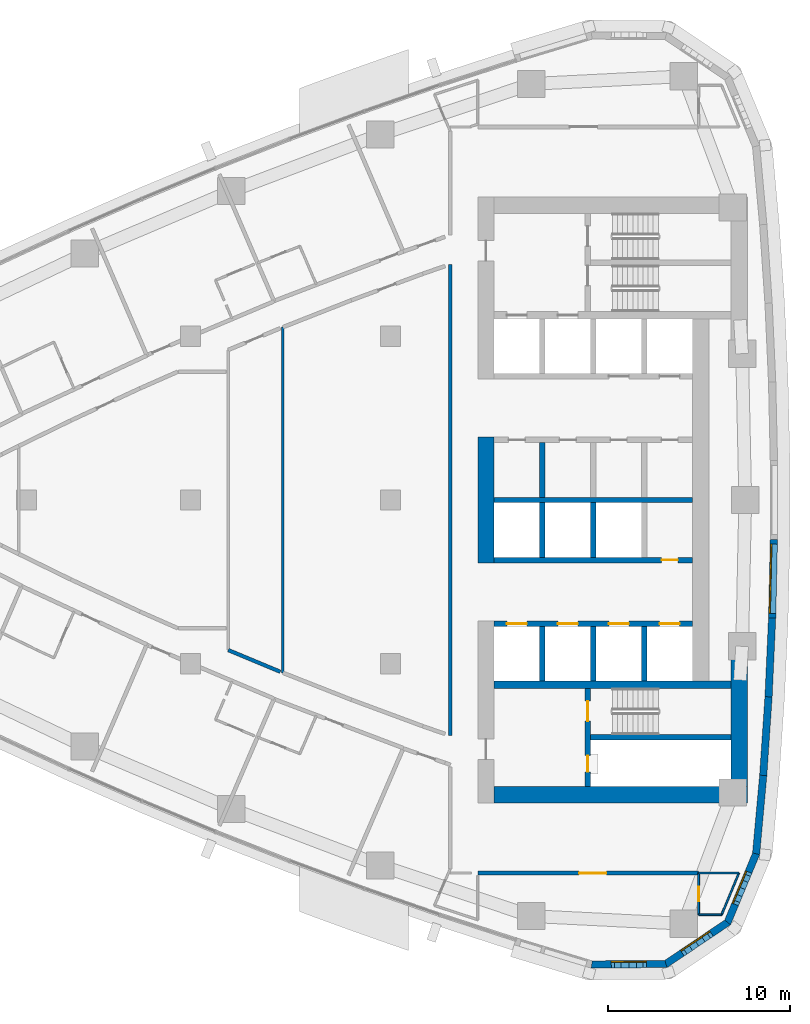
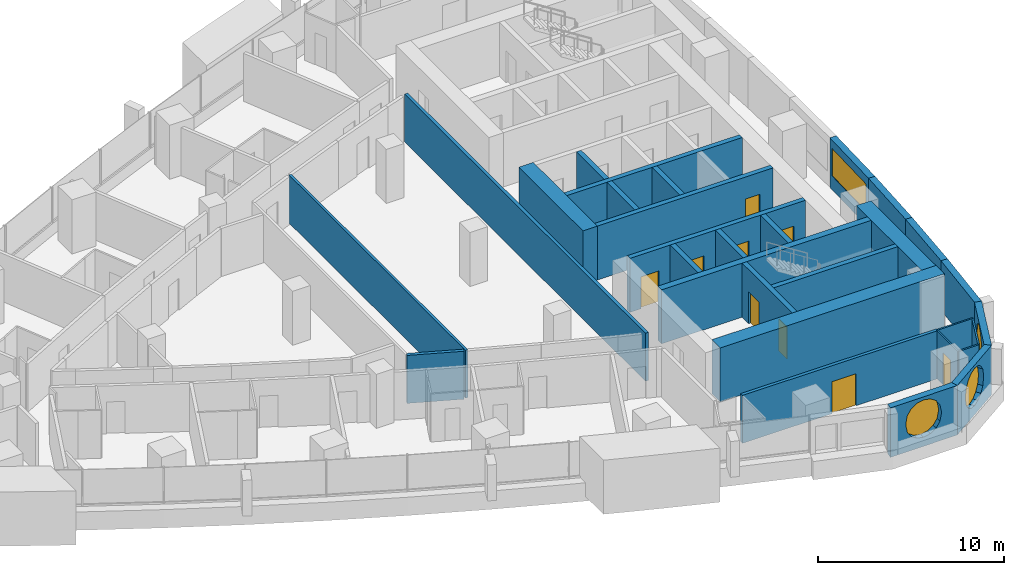
# One storey, part 10 of 17: 30 walls, 9 doors, 4 windows, 13 openings.
"""IFC4 building model written with IfcOpenShell, lengths in metres."""

import ifcopenshell
import ifcopenshell.guid

model = None  # the IFC model being written
_history = None  # IfcOwnerHistory: only IFC2X3 demands one
_inside = {}  # id of a spatial element -> (the spatial element, [elements in it])
_under = {}  # id of a project, library or spatial element -> (it, [spatial elements below it])
_declared = {}  # id of a project -> (the project, [libraries it declares])
_typed = {}  # id of a type object -> (the type object, [elements of that type])
_made_of = {}  # id of a material, layer set ... -> (it, [elements and type objects made of it])


def new_model(schema):
    """Start an empty IFC model of exactly this schema.

    Asked for "IFC4X3", IfcOpenShell would pick the latest addendum, in which some entities
    have other attributes; the version numbers below select the first issue.
    IFC2X3 requires an IfcOwnerHistory on every rooted entity: one is made here for all.
    """
    global model, _history
    if schema == "IFC4X3":
        model = ifcopenshell.file(schema_version=(4, 3, 0, 0))
    else:
        model = ifcopenshell.file(schema=schema)
    _inside.clear()
    _under.clear()
    _declared.clear()
    _typed.clear()
    _made_of.clear()
    _history = None
    if model.schema == "IFC2X3":
        org = make("IfcOrganization", Name="unknown")
        user = make(
            "IfcPersonAndOrganization",
            ThePerson=make("IfcPerson", FamilyName="unknown"),
            TheOrganization=org,
        )
        app = make(
            "IfcApplication",
            ApplicationDeveloper=org,
            Version="unknown",
            ApplicationFullName="unknown",
            ApplicationIdentifier="unknown",
        )
        _history = make(
            "IfcOwnerHistory",
            OwningUser=user,
            OwningApplication=app,
            ChangeAction="ADDED",
            CreationDate=0,
        )
    return model


def make(cls, **values):
    """One entity of the class cls with the attributes given. An attribute that is None is left unset."""
    return model.create_entity(
        cls, **{name: value for name, value in values.items() if value is not None}
    )


def rooted(cls, **values):
    """An entity with a GlobalId (a new one), such as an element, a storey or a relation."""
    return make(cls, GlobalId=ifcopenshell.guid.new(), OwnerHistory=_history, **values)


def si_unit(unit_type, name, prefix=None):
    """IfcSIUnit, for example si_unit("LENGTHUNIT", "METRE", prefix="MILLI")."""
    return make("IfcSIUnit", UnitType=unit_type, Prefix=prefix, Name=name)


def assignment(units):
    """IfcUnitAssignment: the units of a project."""
    return None if units is None else make("IfcUnitAssignment", Units=units)


def point(xyz):
    """IfcCartesianPoint."""
    return None if xyz is None else make("IfcCartesianPoint", Coordinates=xyz)


def direction(xyz):
    """IfcDirection."""
    return None if xyz is None else make("IfcDirection", DirectionRatios=xyz)


def frame(location, z_axis=None, x_axis=None):
    """IfcAxis2Placement3D, a coordinate frame: its origin and axes. An axis left out is left unset."""
    return make(
        "IfcAxis2Placement3D",
        Location=point(location),
        Axis=direction(z_axis),
        RefDirection=direction(x_axis),
    )


def frame_2d(location, x_axis=None):
    """IfcAxis2Placement2D, a coordinate frame in the plane: its origin and x axis."""
    return make(
        "IfcAxis2Placement2D", Location=point(location), RefDirection=direction(x_axis)
    )


def origin():
    """The frame at (0, 0, 0) with its axes left unset."""
    return frame((0.0, 0.0, 0.0))


def place(relative_to, where):
    """IfcLocalPlacement: puts the frame where relative to a parent placement (None: the world)."""
    return make(
        "IfcLocalPlacement", PlacementRelTo=relative_to, RelativePlacement=where
    )


def context(
    kind, dimensions, precision=None, world=None, true_north=None, identifier=None
):
    """IfcGeometricRepresentationContext, for example the 3D "Model" context."""
    return make(
        "IfcGeometricRepresentationContext",
        ContextIdentifier=identifier,
        ContextType=kind,
        CoordinateSpaceDimension=dimensions,
        Precision=precision,
        WorldCoordinateSystem=world,
        TrueNorth=true_north,
    )


def subcontext(parent, identifier, kind, view, scale=None):
    """IfcGeometricRepresentationSubContext, for example "Body" below "Model"."""
    return make(
        "IfcGeometricRepresentationSubContext",
        ContextIdentifier=identifier,
        ContextType=kind,
        ParentContext=parent,
        TargetScale=scale,
        TargetView=view,
    )


def project(units=None, contexts=None):
    """IfcProject with its units and contexts."""
    return rooted(
        "IfcProject",
        Name="project",
        RepresentationContexts=contexts,
        UnitsInContext=assignment(units),
    )


def spatial(cls, under=None, at=None, **own):
    """A site, building, storey or space (cls), placed at a placement, below another one or the project."""
    s = rooted(cls, ObjectPlacement=at, **own)
    if under is not None:
        _under.setdefault(under.id(), (under, []))[1].append(s)
    return s


def polyline(points):
    """IfcPolyline through the points."""
    return make("IfcPolyline", Points=[point(p) for p in points])


def profile(cls, at=None, kind="AREA", **sizes):
    """A parametric profile (cls). Its sizes go by their IFC names, for example OverallWidth=200.0."""
    return make(cls, ProfileType=kind, Position=at, **sizes)


def rectangle(**sizes):
    """IfcRectangleProfileDef."""
    return profile("IfcRectangleProfileDef", **sizes)


def outline(outer, holes=None, kind="AREA"):
    """IfcArbitraryClosedProfileDef: a profile drawn as a closed curve; with holes, ...WithVoids."""
    if holes is None:
        return make("IfcArbitraryClosedProfileDef", ProfileType=kind, OuterCurve=outer)
    return make(
        "IfcArbitraryProfileDefWithVoids",
        ProfileType=kind,
        OuterCurve=outer,
        InnerCurves=holes,
    )


def extrude(swept, where, along, depth):
    """IfcExtrudedAreaSolid: the profile swept, set in the frame where, extruded along a direction by depth."""
    return make(
        "IfcExtrudedAreaSolid",
        SweptArea=swept,
        Position=where,
        ExtrudedDirection=direction(along),
        Depth=depth,
    )


def shape(context_of_items, identifier, shape_type, items):
    """IfcShapeRepresentation: the items that make up one representation, for example the "Body"."""
    return make(
        "IfcShapeRepresentation",
        ContextOfItems=context_of_items,
        RepresentationIdentifier=identifier,
        RepresentationType=shape_type,
        Items=items,
    )


def material(Name=None, Category=None):
    """IfcMaterial."""
    return make("IfcMaterial", Name=Name, Category=Category)


def layer(
    of_material, thickness, ventilated=None, Name=None, Category=None, Priority=None
):
    """IfcMaterialLayer: one layer of a wall or slab, of a material (None: an air gap)."""
    return make(
        "IfcMaterialLayer",
        Material=of_material,
        LayerThickness=thickness,
        IsVentilated=ventilated,
        Name=Name,
        Category=Category,
        Priority=Priority,
    )


def layer_set(layers, Name=None):
    """IfcMaterialLayerSet."""
    return make("IfcMaterialLayerSet", MaterialLayers=layers, LayerSetName=Name)


def made_of(thing, what):
    """Note that an element or type object is made of a material, layer set ...; save() writes the relation."""
    if what is not None:
        _made_of.setdefault(what.id(), (what, []))[1].append(thing)
    return thing


def type_object(cls, material=None, **own):
    """A type object (cls), such as IfcWallType, which elements share."""
    return made_of(rooted(cls, **own), material)


def element(
    cls,
    number,
    at=None,
    inside=None,
    cuts=None,
    type_object=None,
    material=None,
    context=None,
    identifier="Body",
    shape_type=None,
    held_by="IfcProductDefinitionShape",
    body=None,
    shapes=None,
    **own,
):
    """One element of the class cls, such as IfcWall. Its Tag is "e" and its number.

    at: its placement. inside: the storey or other place that contains it. cuts: it is an
    opening in that element (IfcRelVoidsElement). A single representation is given by context,
    identifier, shape_type and body (its items); several are given by shapes. held_by: the class
    of the entity that holds the representations. save() writes the other relations.
    """
    e = rooted(cls, Tag="e%d" % number, ObjectPlacement=at, **own)
    if body is not None:
        shapes = [shape(context, identifier, shape_type, body)]
    if shapes is not None:
        e.Representation = make(held_by, Representations=shapes)
    if inside is not None:
        _inside.setdefault(inside.id(), (inside, []))[1].append(e)
    if cuts is not None:
        rooted(
            "IfcRelVoidsElement", RelatingBuildingElement=cuts, RelatedOpeningElement=e
        )
    if type_object is not None:
        _typed.setdefault(type_object.id(), (type_object, []))[1].append(e)
    return made_of(e, material)


def fill(opening, filler):
    """IfcRelFillsElement: the door or window that sits in an opening."""
    return rooted(
        "IfcRelFillsElement",
        RelatingOpeningElement=opening,
        RelatedBuildingElement=filler,
    )


def aggregate(whole, parts):
    """IfcRelAggregates: a whole, such as a stair, and the parts it consists of."""
    return rooted("IfcRelAggregates", RelatingObject=whole, RelatedObjects=parts)


def save(model, path):
    """Write the relations noted so far, then the file.

    IfcRelAggregates (storeys below a building ...), IfcRelContainedInSpatialStructure (elements
    in a storey), IfcRelDefinesByType, IfcRelAssociatesMaterial and IfcRelDeclares: one each for
    every whole, place, type object, material and project.
    """
    for whole, parts in _under.values():
        aggregate(whole, parts)
    for where, things in _inside.values():
        rooted(
            "IfcRelContainedInSpatialStructure",
            RelatedElements=things,
            RelatingStructure=where,
        )
    for kind, things in _typed.values():
        rooted("IfcRelDefinesByType", RelatedObjects=things, RelatingType=kind)
    for what, things in _made_of.values():
        rooted("IfcRelAssociatesMaterial", RelatedObjects=things, RelatingMaterial=what)
    for by, libraries in _declared.values():
        rooted("IfcRelDeclares", RelatingContext=by, RelatedDefinitions=libraries)
    model.write(path)


model = new_model("IFC4")

# Units and contexts
model_context = context("Model", 3, precision=1e-05, world=origin(), true_north=direction((0.0, 1.0)))
body_context = subcontext(model_context, "Body", "Model", "MODEL_VIEW")
ifc_project = project(units=[si_unit("LENGTHUNIT", "METRE"), si_unit("AREAUNIT", "SQUARE_METRE"), si_unit("VOLUMEUNIT", "CUBIC_METRE"), si_unit("PLANEANGLEUNIT", "RADIAN"), si_unit("MASSUNIT", "GRAM", prefix="KILO")], contexts=[model_context])

# Site, building, storey
site_placement = place(None, origin())
site = spatial("IfcSite", under=ifc_project, at=site_placement, CompositionType="ELEMENT")
building_placement = place(site_placement, origin())
building = spatial("IfcBuilding", under=site, at=building_placement, Name="Ostrand Prow Hotel Tower", CompositionType="ELEMENT")
storey_placement = place(building_placement, frame((0.0, 0.0, 162.14990234375)))
storey = spatial("IfcBuildingStorey", under=building, at=storey_placement, Name="L40", CompositionType="ELEMENT", Elevation=162.14990234375)

# Walls
ifc_material_1 = material(Name="Concrete C70/85", Category="concrete")
ifc_layer_1 = layer(ifc_material_1, 0.300048828125)
ifc_layer_set_1 = layer_set([ifc_layer_1], Name="Concrete C70/85")
wall_type_1 = type_object("IfcWallType", Name="Core wall 300 C70/85", PredefinedType="SHEAR", material=ifc_layer_set_1)
wall_1_placement = place(storey_placement, frame((50.699951171875, 0.0, 0.0), z_axis=(0.0, 0.0, 1.0), x_axis=(1.0, 0.0, 0.0)))
element("IfcWall", 1, at=wall_1_placement, inside=storey, type_object=wall_type_1, Name="Core wall PW-C", PredefinedType="SHEAR", context=body_context, shape_type="SweptSolid", body=[
    extrude(rectangle(XDim=10.900146484375, YDim=0.300048828125, at=frame_2d((5.4501953125, 0.0))), origin(), (0.0, 0.0, 1.0), 3.550048828125),
])
wall_2_placement = place(storey_placement, frame((53.35009765625, 0.14990234375, 0.0), z_axis=(0.0, 0.0, 1.0), x_axis=(0.0, 1.0, 0.0)))
element("IfcWall", 2, at=wall_2_placement, inside=storey, type_object=wall_type_1, Name="Core wall PW-R1-NB", PredefinedType="SHEAR", context=body_context, shape_type="SweptSolid", body=[
    extrude(rectangle(XDim=3.0, YDim=0.300048828125, at=frame_2d((1.5, 0.0))), origin(), (0.0, 0.0, 1.0), 3.550048828125),
])

# Wall, opening, door
wall_3_placement = place(storey_placement, frame((50.699951171875, -3.300048828125, 0.0), z_axis=(0.0, 0.0, 1.0), x_axis=(1.0, 0.0, 0.0)))
wall_3 = element("IfcWall", 3, at=wall_3_placement, inside=storey, type_object=wall_type_1, Name="Core wall PW-L1-S", PredefinedType="SHEAR", context=body_context, shape_type="SweptSolid", body=[
    extrude(rectangle(XDim=10.900146484375, YDim=0.300048828125, at=frame_2d((5.4501953125, 0.0))), origin(), (0.0, 0.0, 1.0), 3.550048828125),
])
opening_1_placement = place(wall_3_placement, frame((9.199951171875, 0.0, 0.0)))
opening_1 = element("IfcOpeningElement", 4, at=opening_1_placement, cuts=wall_3, Name="Opening FD2", PredefinedType="OPENING", context=body_context, shape_type="SweptSolid", body=[
    extrude(rectangle(XDim=0.89990234375, YDim=2.10009765625, at=frame_2d((0.449951171875, 1.050048828125))), frame((0.0, 0.159912109375, 0.0), z_axis=(0.0, -1.0, 0.0), x_axis=(1.0, 0.0, 0.0)), (0.0, 0.0, 1.0), 0.320068359375),
])
ifc_material_2 = material(Name="Steel fire door", Category="steel")
door_type_1 = type_object("IfcDoorType", Name="Fire door 900 EI120", OperationType="SINGLE_SWING_LEFT", PredefinedType="DOOR", material=ifc_material_2)
door_1_placement = place(opening_1_placement, origin())
door_1 = element("IfcDoor", 5, at=door_1_placement, inside=storey, type_object=door_type_1, Name="DOOR", OperationType="SINGLE_SWING_LEFT", OverallHeight=2.10009765625, OverallWidth=0.89990234375, PredefinedType="DOOR", context=body_context, shape_type="SweptSolid", body=[
    extrude(rectangle(XDim=0.89990234375, YDim=2.10009765625, at=frame_2d((0.449951171875, 1.050048828125))), frame((0.0, 0.02490234375, 0.0), z_axis=(0.0, -1.0, 0.0), x_axis=(1.0, 0.0, 0.0)), (0.0, 0.0, 1.0), 0.050048828125),
])
fill(opening_1, door_1)

# Wall, openings, doors
wall_4_placement = place(storey_placement, frame((50.699951171875, -6.800048828125, 0.0), z_axis=(0.0, 0.0, 1.0), x_axis=(1.0, 0.0, 0.0)))
wall_4 = element("IfcWall", 6, at=wall_4_placement, inside=storey, type_object=wall_type_1, Name="Core wall PW-L2-S", PredefinedType="SHEAR", context=body_context, shape_type="SweptSolid", body=[
    extrude(rectangle(XDim=10.900146484375, YDim=0.300048828125, at=frame_2d((5.4501953125, 0.0))), origin(), (0.0, 0.0, 1.0), 3.550048828125),
])
opening_2_placement = place(wall_4_placement, frame((0.699951171875, 0.0, 0.0)))
opening_2 = element("IfcOpeningElement", 7, at=opening_2_placement, cuts=wall_4, Name="Opening LD", PredefinedType="OPENING", context=body_context, shape_type="SweptSolid", body=[
    extrude(rectangle(XDim=1.10009765625, YDim=2.10009765625, at=frame_2d((0.550048828125, 1.050048828125))), frame((0.0, 0.159912109375, 0.0), z_axis=(0.0, -1.0, 0.0), x_axis=(1.0, 0.0, 0.0)), (0.0, 0.0, 1.0), 0.320068359375),
])
opening_3_placement = place(wall_4_placement, frame((3.5, 0.0, 0.0)))
opening_3 = element("IfcOpeningElement", 8, at=opening_3_placement, cuts=wall_4, Name="Opening LD", PredefinedType="OPENING", context=body_context, shape_type="SweptSolid", body=[
    extrude(rectangle(XDim=1.10009765625, YDim=2.10009765625, at=frame_2d((0.550048828125, 1.050048828125))), frame((0.0, 0.159912109375, 0.0), z_axis=(0.0, -1.0, 0.0), x_axis=(1.0, 0.0, 0.0)), (0.0, 0.0, 1.0), 0.320068359375),
])
opening_4_placement = place(wall_4_placement, frame((6.300048828125, 0.0, 0.0)))
opening_4 = element("IfcOpeningElement", 9, at=opening_4_placement, cuts=wall_4, Name="Opening LD", PredefinedType="OPENING", context=body_context, shape_type="SweptSolid", body=[
    extrude(rectangle(XDim=1.10009765625, YDim=2.10009765625, at=frame_2d((0.550048828125, 1.050048828125))), frame((0.0, 0.159912109375, 0.0), z_axis=(0.0, -1.0, 0.0), x_axis=(1.0, 0.0, 0.0)), (0.0, 0.0, 1.0), 0.320068359375),
])
opening_5_placement = place(wall_4_placement, frame((9.10009765625, 0.0, 0.0)))
opening_5 = element("IfcOpeningElement", 10, at=opening_5_placement, cuts=wall_4, Name="Opening LD", PredefinedType="OPENING", context=body_context, shape_type="SweptSolid", body=[
    extrude(rectangle(XDim=1.10009765625, YDim=2.10009765625, at=frame_2d((0.550048828125, 1.050048828125))), frame((0.0, 0.159912109375, 0.0), z_axis=(0.0, -1.0, 0.0), x_axis=(1.0, 0.0, 0.0)), (0.0, 0.0, 1.0), 0.320068359375),
])
ifc_material_3 = material(Name="Stainless steel door", Category="steel")
door_type_2 = type_object("IfcDoorType", Name="Lift landing door 1100", OperationType="DOUBLE_DOOR_SLIDING", PredefinedType="DOOR", material=ifc_material_3)
door_2_placement = place(opening_2_placement, origin())
door_2 = element("IfcDoor", 11, at=door_2_placement, inside=storey, type_object=door_type_2, Name="LIFT LANDING DOOR", OperationType="DOUBLE_DOOR_SLIDING", OverallHeight=2.10009765625, OverallWidth=1.10009765625, PredefinedType="DOOR", context=body_context, shape_type="SweptSolid", body=[
    extrude(rectangle(XDim=1.10009765625, YDim=2.10009765625, at=frame_2d((0.550048828125, 1.050048828125))), frame((0.0, 0.02490234375, 0.0), z_axis=(0.0, -1.0, 0.0), x_axis=(1.0, 0.0, 0.0)), (0.0, 0.0, 1.0), 0.050048828125),
])
fill(opening_2, door_2)
door_3_placement = place(opening_3_placement, origin())
door_3 = element("IfcDoor", 12, at=door_3_placement, inside=storey, type_object=door_type_2, Name="LIFT LANDING DOOR", OperationType="DOUBLE_DOOR_SLIDING", OverallHeight=2.10009765625, OverallWidth=1.10009765625, PredefinedType="DOOR", context=body_context, shape_type="SweptSolid", body=[
    extrude(rectangle(XDim=1.10009765625, YDim=2.10009765625, at=frame_2d((0.550048828125, 1.050048828125))), frame((0.0, 0.02490234375, 0.0), z_axis=(0.0, -1.0, 0.0), x_axis=(1.0, 0.0, 0.0)), (0.0, 0.0, 1.0), 0.050048828125),
])
fill(opening_3, door_3)
door_4_placement = place(opening_4_placement, origin())
door_4 = element("IfcDoor", 13, at=door_4_placement, inside=storey, type_object=door_type_2, Name="LIFT LANDING DOOR", OperationType="DOUBLE_DOOR_SLIDING", OverallHeight=2.10009765625, OverallWidth=1.10009765625, PredefinedType="DOOR", context=body_context, shape_type="SweptSolid", body=[
    extrude(rectangle(XDim=1.10009765625, YDim=2.10009765625, at=frame_2d((0.550048828125, 1.050048828125))), frame((0.0, 0.02490234375, 0.0), z_axis=(0.0, -1.0, 0.0), x_axis=(1.0, 0.0, 0.0)), (0.0, 0.0, 1.0), 0.050048828125),
])
fill(opening_4, door_4)
door_5_placement = place(opening_5_placement, origin())
door_5 = element("IfcDoor", 14, at=door_5_placement, inside=storey, type_object=door_type_2, Name="LIFT LANDING DOOR", OperationType="DOUBLE_DOOR_SLIDING", OverallHeight=2.10009765625, OverallWidth=1.10009765625, PredefinedType="DOOR", context=body_context, shape_type="SweptSolid", body=[
    extrude(rectangle(XDim=1.10009765625, YDim=2.10009765625, at=frame_2d((0.550048828125, 1.050048828125))), frame((0.0, 0.02490234375, 0.0), z_axis=(0.0, -1.0, 0.0), x_axis=(1.0, 0.0, 0.0)), (0.0, 0.0, 1.0), 0.050048828125),
])
fill(opening_5, door_5)

# Walls
for number, where, z_axis, x_axis, name in (
    (15, (53.35009765625, -3.14990234375, 0.0), (0.0, 0.0, 1.0), (0.0, 1.0, 0.0), "Core wall PW-R1-SB"),
    (16, (53.35009765625, -9.949951171875, 0.0), (0.0, 0.0, 1.0), (0.0, 1.0, 0.0), "Core wall PW-R1-SA"),
    (17, (56.14990234375, -3.14990234375, 0.0), (0.0, 0.0, 1.0), (0.0, 1.0, 0.0), "Core wall PW-R2-SB"),
    (18, (56.14990234375, -9.949951171875, 0.0), (0.0, 0.0, 1.0), (0.0, 1.0, 0.0), "Core wall PW-R2-SA"),
    (19, (58.949951171875, -9.949951171875, 0.0), (0.0, 0.0, 1.0), (0.0, 1.0, 0.0), "Core wall PW-R3-SA"),
):
    element("IfcWall", number, at=place(storey_placement, frame(where, z_axis=z_axis, x_axis=x_axis)), inside=storey, type_object=wall_type_1, Name=name, PredefinedType="SHEAR", context=body_context, shape_type="SweptSolid", body=[
        extrude(rectangle(XDim=3.0, YDim=0.300048828125, at=frame_2d((1.5, 0.0))), origin(), (0.0, 0.0, 1.0), 3.550048828125),
    ])

# Wall, openings, doors
wall_5_placement = place(storey_placement, frame((55.85009765625, -15.75, 0.0), z_axis=(0.0, 0.0, 1.0), x_axis=(0.0, 1.0, 0.0)))
wall_5 = element("IfcWall", 20, at=wall_5_placement, inside=storey, type_object=wall_type_1, Name="Core wall PW-VS", PredefinedType="SHEAR", context=body_context, shape_type="SweptSolid", body=[
    extrude(rectangle(XDim=5.39990234375, YDim=0.300048828125, at=frame_2d((2.699951171875, 0.0))), origin(), (0.0, 0.0, 1.0), 3.550048828125),
])
opening_6_placement = place(wall_5_placement, frame((3.60009765625, 0.0, 0.0)))
opening_6 = element("IfcOpeningElement", 21, at=opening_6_placement, cuts=wall_5, Name="Opening FD1", PredefinedType="OPENING", context=body_context, shape_type="SweptSolid", body=[
    extrude(rectangle(XDim=1.10009765625, YDim=2.10009765625, at=frame_2d((0.550048828125, 1.050048828125))), frame((0.0, 0.159912109375, 0.0), z_axis=(0.0, -1.0, 0.0), x_axis=(1.0, 0.0, 0.0)), (0.0, 0.0, 1.0), 0.320068359375),
])
opening_7_placement = place(wall_5_placement, frame((0.800048828125, 0.0, 0.0)))
opening_7 = element("IfcOpeningElement", 22, at=opening_7_placement, cuts=wall_5, Name="Opening FD2", PredefinedType="OPENING", context=body_context, shape_type="SweptSolid", body=[
    extrude(rectangle(XDim=0.89990234375, YDim=2.10009765625, at=frame_2d((0.449951171875, 1.050048828125))), frame((0.0, 0.159912109375, 0.0), z_axis=(0.0, -1.0, 0.0), x_axis=(1.0, 0.0, 0.0)), (0.0, 0.0, 1.0), 0.320068359375),
])
ifc_material_4 = material(Name="Steel fire door", Category="steel")
door_type_3 = type_object("IfcDoorType", Name="Fire door 1100 EI120", OperationType="SINGLE_SWING_RIGHT", PredefinedType="DOOR", material=ifc_material_4)
door_6_placement = place(opening_6_placement, origin())
door_6 = element("IfcDoor", 23, at=door_6_placement, inside=storey, type_object=door_type_3, Name="FIRE DOOR", OperationType="SINGLE_SWING_RIGHT", OverallHeight=2.10009765625, OverallWidth=1.10009765625, PredefinedType="DOOR", context=body_context, shape_type="SweptSolid", body=[
    extrude(rectangle(XDim=1.10009765625, YDim=2.10009765625, at=frame_2d((0.550048828125, 1.050048828125))), frame((0.0, 0.02490234375, 0.0), z_axis=(0.0, -1.0, 0.0), x_axis=(1.0, 0.0, 0.0)), (0.0, 0.0, 1.0), 0.050048828125),
])
fill(opening_6, door_6)
door_7_placement = place(opening_7_placement, origin())
door_7 = element("IfcDoor", 24, at=door_7_placement, inside=storey, type_object=door_type_1, Name="FIRE DOOR", OperationType="SINGLE_SWING_LEFT", OverallHeight=2.10009765625, OverallWidth=0.89990234375, PredefinedType="DOOR", context=body_context, shape_type="SweptSolid", body=[
    extrude(rectangle(XDim=0.89990234375, YDim=2.10009765625, at=frame_2d((0.449951171875, 1.050048828125))), frame((0.0, 0.02490234375, 0.0), z_axis=(0.0, -1.0, 0.0), x_axis=(1.0, 0.0, 0.0)), (0.0, 0.0, 1.0), 0.050048828125),
])
fill(opening_7, door_7)

# Walls
wall_6_placement = place(storey_placement, frame((56.0, -13.050048828125, 0.0), z_axis=(0.0, 0.0, 1.0), x_axis=(1.0, 0.0, 0.0)))
element("IfcWall", 25, at=wall_6_placement, inside=storey, type_object=wall_type_1, Name="Core wall PW-ST2R", PredefinedType="SHEAR", context=body_context, shape_type="SweptSolid", body=[
    extrude(rectangle(XDim=7.719970703125, YDim=0.300048828125, at=frame_2d((3.85986328125, 0.0))), origin(), (0.0, 0.0, 1.0), 3.550048828125),
])
ifc_material_5 = material(Name="Concrete C70/85", Category="concrete")
ifc_layer_2 = layer(ifc_material_5, 0.39990234375)
ifc_layer_set_2 = layer_set([ifc_layer_2], Name="Concrete C70/85")
wall_type_2 = type_object("IfcWallType", Name="Core wall 400 C70/85", PredefinedType="SHEAR", material=ifc_layer_set_2)
wall_7_placement = place(storey_placement, frame((50.699951171875, -10.14990234375, 0.0), z_axis=(0.0, 0.0, 1.0), x_axis=(1.0, 0.0, 0.0)))
element("IfcWall", 26, at=wall_7_placement, inside=storey, type_object=wall_type_2, Name="Core wall PW-BS", PredefinedType="SHEAR", context=body_context, shape_type="SweptSolid", body=[
    extrude(rectangle(XDim=13.02001953125, YDim=0.39990234375, at=frame_2d((6.510009765625, 0.0))), origin(), (0.0, 0.0, 1.0), 3.550048828125),
])
ifc_material_6 = material(Name="Concrete C70/85", Category="concrete")
ifc_layer_3 = layer(ifc_material_6, 0.89990234375)
ifc_layer_set_3 = layer_set([ifc_layer_3], Name="Concrete C70/85")
wall_type_3 = type_object("IfcWallType", Name="Core wall 900 C70/85", PredefinedType="SHEAR", material=ifc_layer_set_3)
wall_8_placement = place(storey_placement, frame((50.25, -3.449951171875, 0.0), z_axis=(0.0, 0.0, 1.0), x_axis=(0.0, 1.0, 0.0)))
element("IfcWall", 27, at=wall_8_placement, inside=storey, type_object=wall_type_3, Name="Core wall CW-W-C", PredefinedType="SHEAR", context=body_context, shape_type="SweptSolid", body=[
    extrude(rectangle(XDim=6.89990234375, YDim=0.89990234375, at=frame_2d((3.449951171875, 0.0))), origin(), (0.0, 0.0, 1.0), 3.550048828125),
])
wall_9_placement = place(storey_placement, frame((50.699951171875, -16.199951171875, 0.0), z_axis=(0.0, 0.0, 1.0), x_axis=(1.0, 0.0, 0.0)))
element("IfcWall", 28, at=wall_9_placement, inside=storey, type_object=wall_type_3, Name="Core wall CW-S", PredefinedType="SHEAR", context=body_context, shape_type="SweptSolid", body=[
    extrude(rectangle(XDim=13.920166015625, YDim=0.89990234375, at=frame_2d((6.9599609375, 0.0))), origin(), (0.0, 0.0, 1.0), 3.550048828125),
])
wall_10_placement = place(storey_placement, frame((64.169921875, -15.75, 0.0), z_axis=(0.0, 0.0, 1.0), x_axis=(0.0, 1.0, 0.0)))
element("IfcWall", 29, at=wall_10_placement, inside=storey, type_object=wall_type_3, Name="Core wall CW-E-S", PredefinedType="SHEAR", context=body_context, shape_type="SweptSolid", body=[
    extrude(rectangle(XDim=7.00537109375, YDim=0.89990234375, at=frame_2d((3.502685546875, 0.0))), origin(), (0.0, 0.0, 1.0), 3.550048828125),
])

# Wall, opening, door
ifc_material_7 = material(Name="Plasterboard partition")
ifc_layer_4 = layer(ifc_material_7, 0.10009765625)
ifc_layer_set_4 = layer_set([ifc_layer_4], Name="Plasterboard partition")
wall_type_4 = type_object("IfcWallType", Name="Partition 100 bathroom wall", PredefinedType="PARTITIONING", material=ifc_layer_set_4)
wall_11_placement = place(storey_placement, frame((61.9375, -22.800048828125, 0.0), z_axis=(0.0, 0.0, 1.0), x_axis=(0.0, 1.0, 0.0)))
wall_11 = element("IfcWall", 30, at=wall_11_placement, inside=storey, type_object=wall_type_4, Name="BATHROOM WALL", PredefinedType="PARTITIONING", context=body_context, shape_type="SweptSolid", body=[
    extrude(rectangle(XDim=2.300048828125, YDim=0.10009765625, at=frame_2d((1.14990234375, 0.0))), origin(), (0.0, 0.0, 1.0), 3.150146484375),
])
opening_8_placement = place(wall_11_placement, frame((0.75, 0.0, 0.0)))
opening_8 = element("IfcOpeningElement", 31, at=opening_8_placement, cuts=wall_11, Name="Opening D2", PredefinedType="OPENING", context=body_context, shape_type="SweptSolid", body=[
    extrude(rectangle(XDim=0.800048828125, YDim=2.10009765625, at=frame_2d((0.39990234375, 1.050048828125))), frame((0.0, 0.06005859375, 0.0), z_axis=(0.0, -1.0, 0.0), x_axis=(1.0, 0.0, 0.0)), (0.0, 0.0, 1.0), 0.1201171875),
])
ifc_material_8 = material(Name="Timber door leaf", Category="wood")
door_type_4 = type_object("IfcDoorType", Name="Bathroom door 800", OperationType="SINGLE_SWING_LEFT", PredefinedType="DOOR", material=ifc_material_8)
door_8_placement = place(opening_8_placement, origin())
door_8 = element("IfcDoor", 32, at=door_8_placement, inside=storey, type_object=door_type_4, Name="DOOR", OperationType="SINGLE_SWING_LEFT", OverallHeight=2.10009765625, OverallWidth=0.800048828125, PredefinedType="DOOR", context=body_context, shape_type="SweptSolid", body=[
    extrude(rectangle(XDim=0.800048828125, YDim=2.10009765625, at=frame_2d((0.39990234375, 1.050048828125))), frame((0.0, 0.02490234375, 0.0), z_axis=(0.0, -1.0, 0.0), x_axis=(1.0, 0.0, 0.0)), (0.0, 0.0, 1.0), 0.050048828125),
])
fill(opening_8, door_8)

# Walls
wall_12_placement = place(storey_placement, frame((63.1982421875, -22.800048828125, 0.0), z_axis=(0.0, 0.0, 1.0), x_axis=(-1.0, 0.0, 0.0)))
element("IfcWall", 33, at=wall_12_placement, inside=storey, type_object=wall_type_4, Name="BATHROOM WALL", PredefinedType="PARTITIONING", context=body_context, shape_type="SweptSolid", body=[
    extrude(rectangle(XDim=1.2607421875, YDim=0.10009765625, at=frame_2d((0.63037109375, 0.0))), origin(), (0.0, 0.0, 1.0), 3.150146484375),
])
wall_13_placement = place(storey_placement, frame((61.9375, -20.5048828125, 0.0), z_axis=(0.0, 0.0, 1.0), x_axis=(1.0, 0.0, 0.0)))
element("IfcWall", 34, at=wall_13_placement, inside=storey, type_object=wall_type_4, Name="BATHROOM WALL", PredefinedType="PARTITIONING", context=body_context, shape_type="SweptSolid", body=[
    extrude(rectangle(XDim=2.21484375, YDim=0.10009765625, at=frame_2d((1.107421875, 0.0))), origin(), (0.0, 0.0, 1.0), 3.150146484375),
])
wall_14_placement = place(storey_placement, frame((64.15234375, -20.5048828125, 0.0), z_axis=(0.0, 0.0, 1.0), x_axis=(-0.383855043906, -0.923393364319, 0.0)))
element("IfcWall", 35, at=wall_14_placement, inside=storey, type_object=wall_type_4, Name="BATHROOM WALL", PredefinedType="PARTITIONING", context=body_context, shape_type="SweptSolid", body=[
    extrude(rectangle(XDim=2.485595703125, YDim=0.10009765625, at=frame_2d((1.24267578125, 0.0))), origin(), (0.0, 0.0, 1.0), 3.150146484375),
])
ifc_material_9 = material(Name="Plasterboard partition")
ifc_layer_5 = layer(ifc_material_9, 0.14990234375)
ifc_layer_set_5 = layer_set([ifc_layer_5], Name="Plasterboard partition")
wall_type_5 = type_object("IfcWallType", Name="Partition 150 room partition", PredefinedType="PARTITIONING", material=ifc_layer_set_5)
wall_15_placement = place(storey_placement, frame((39.08740234375, -9.497802734375, 0.0), z_axis=(0.0, 0.0, 1.0), x_axis=(0.0, 1.0, 0.0)))
element("IfcWall", 36, at=wall_15_placement, inside=storey, type_object=wall_type_5, Name="ROOM PARTITION", PredefinedType="PARTITIONING", context=body_context, shape_type="SweptSolid", body=[
    extrude(rectangle(XDim=18.99560546875, YDim=0.14990234375, at=frame_2d((9.497802734375, 0.0))), origin(), (0.0, 0.0, 1.0), 3.150146484375),
])
ifc_material_10 = material(Name="Plasterboard partition")
ifc_layer_6 = layer(ifc_material_10, 0.199951171875)
ifc_layer_set_6 = layer_set([ifc_layer_6], Name="Plasterboard partition")
wall_type_6 = type_object("IfcWallType", Name="Partition 200 corridor wall", PredefinedType="PARTITIONING", material=ifc_layer_set_6)
wall_16_placement = place(storey_placement, frame((38.943115234375, -9.44091796875, 0.0), z_axis=(0.0, 0.0, 1.0), x_axis=(-0.923013875818, 0.384766663118, 0.0)))
element("IfcWall", 37, at=wall_16_placement, inside=storey, type_object=wall_type_6, Name="CORRIDOR WALL", PredefinedType="PARTITIONING", context=body_context, shape_type="SweptSolid", body=[
    extrude(rectangle(XDim=3.093994140625, YDim=0.199951171875, at=frame_2d((1.546875, 0.0))), origin(), (0.0, 0.0, 1.0), 3.150146484375),
])

# Wall, opening, door
wall_17_placement = place(storey_placement, frame((49.800048828125, -20.5048828125, 0.0), z_axis=(0.0, 0.0, 1.0), x_axis=(1.0, 0.0, 0.0)))
wall_17 = element("IfcWall", 38, at=wall_17_placement, inside=storey, type_object=wall_type_6, Name="CORRIDOR WALL", PredefinedType="PARTITIONING", context=body_context, shape_type="SweptSolid", body=[
    extrude(rectangle(XDim=12.132568359375, YDim=0.199951171875, at=frame_2d((6.06640625, 0.0))), origin(), (0.0, 0.0, 1.0), 3.150146484375),
])
opening_9_placement = place(wall_17_placement, frame((5.56640625, 0.0, 0.0)))
opening_9 = element("IfcOpeningElement", 39, at=opening_9_placement, cuts=wall_17, Name="Opening D15", PredefinedType="OPENING", context=body_context, shape_type="SweptSolid", body=[
    extrude(rectangle(XDim=1.5, YDim=2.10009765625, at=frame_2d((0.75, 1.050048828125))), frame((0.0, 0.10986328125, 0.0), z_axis=(0.0, -1.0, 0.0), x_axis=(1.0, 0.0, 0.0)), (0.0, 0.0, 1.0), 0.219970703125),
])
ifc_material_11 = material(Name="Timber door leaf", Category="wood")
door_type_5 = type_object("IfcDoorType", Name="Double door 1500", OperationType="DOUBLE_DOOR_SINGLE_SWING", PredefinedType="DOOR", material=ifc_material_11)
door_9_placement = place(opening_9_placement, origin())
door_9 = element("IfcDoor", 40, at=door_9_placement, inside=storey, type_object=door_type_5, Name="DOOR", OperationType="DOUBLE_DOOR_SINGLE_SWING", OverallHeight=2.10009765625, OverallWidth=1.5, PredefinedType="DOOR", context=body_context, shape_type="SweptSolid", body=[
    extrude(rectangle(XDim=1.5, YDim=2.10009765625, at=frame_2d((0.75, 1.050048828125))), frame((0.0, 0.02490234375, 0.0), z_axis=(0.0, -1.0, 0.0), x_axis=(1.0, 0.0, 0.0)), (0.0, 0.0, 1.0), 0.050048828125),
])
fill(opening_9, door_9)

# Wall
wall_18_placement = place(storey_placement, frame((48.294921875, 12.955078125, 0.0), z_axis=(0.0, 0.0, 1.0), x_axis=(0.0, -1.0, 0.0)))
element("IfcWall", 41, at=wall_18_placement, inside=storey, type_object=wall_type_6, Name="CORRIDOR WALL", PredefinedType="PARTITIONING", context=body_context, shape_type="SweptSolid", body=[
    extrude(rectangle(XDim=25.91015625, YDim=0.199951171875, at=frame_2d((12.955078125, 0.0))), origin(), (0.0, 0.0, 1.0), 3.150146484375),
])

# Wall, opening, window
ifc_material_12 = material(Name="Precast concrete C40/50", Category="concrete")
ifc_layer_7 = layer(ifc_material_12, 0.39990234375)
ifc_layer_set_7 = layer_set([ifc_layer_7], Name="Precast concrete C40/50")
wall_type_7 = type_object("IfcWallType", Name="Stone-faced precast wall 400 mm", PredefinedType="NOTDEFINED", material=ifc_layer_set_7)
wall_19_placement = place(storey_placement, frame((56.05810546875, -25.530517578125, 0.0), z_axis=(0.0, 0.0, 1.0), x_axis=(0.99996933771, 0.007830941131, 0.0)))
wall_19 = element("IfcWall", 42, at=wall_19_placement, inside=storey, type_object=wall_type_7, Name="Stone-faced wall back 2", PredefinedType="NOTDEFINED", context=body_context, shape_type="SweptSolid", body=[
    extrude(outline(polyline([(-0.030517578125, -0.199951171875), (4.14453125, -0.199951171875), (4.02392578125, 0.199951171875), (0.030517578125, 0.199951171875), (-0.030517578125, -0.199951171875)])), origin(), (0.0, 0.0, 1.0), 3.25),
])
opening_10_placement = place(wall_19_placement, frame((0.94189453125, 0.0, 0.60009765625)))
opening_10 = element("IfcOpeningElement", 43, at=opening_10_placement, cuts=wall_19, Name="Opening WP1", PredefinedType="OPENING", context=body_context, shape_type="SweptSolid", body=[
    extrude(outline(polyline([(0.0, 1.35009765625), (0.083740234375, 1.77099609375), (0.322265625, 2.127685546875), (0.678955078125, 2.3662109375), (1.10009765625, 2.449951171875), (1.52099609375, 2.3662109375), (1.877685546875, 2.127685546875), (2.1162109375, 1.77099609375), (2.199951171875, 1.35009765625), (2.199951171875, 1.10009765625), (2.1162109375, 0.678955078125), (1.877685546875, 0.322265625), (1.52099609375, 0.083740234375), (1.10009765625, 0.0), (0.678955078125, 0.083740234375), (0.322265625, 0.322265625), (0.083740234375, 0.678955078125), (0.0, 1.099853515625), (0.0, 1.35009765625)])), frame((0.0, 0.2099609375, 0.0), z_axis=(0.0, -1.0, 0.0), x_axis=(1.0, 0.0, 0.0)), (0.0, 0.0, 1.0), 0.419921875),
])
ifc_material_13 = material(Name="Insulated glass in bronze frame", Category="glass")
window_type_1 = type_object("IfcWindowType", Name="Round-ended prow window 2200x2450", PartitioningType="SINGLE_PANEL", PredefinedType="WINDOW", material=ifc_material_13)
window_1_placement = place(opening_10_placement, origin())
window_1 = element("IfcWindow", 44, at=window_1_placement, inside=storey, type_object=window_type_1, Name="Window back 2.1", OverallHeight=2.449951171875, OverallWidth=2.199951171875, PartitioningType="SINGLE_PANEL", PredefinedType="WINDOW", context=body_context, shape_type="SweptSolid", body=[
    extrude(outline(polyline([(0.0, 1.35009765625), (0.083740234375, 1.77099609375), (0.322265625, 2.127685546875), (0.678955078125, 2.3662109375), (1.10009765625, 2.449951171875), (1.52099609375, 2.3662109375), (1.877685546875, 2.127685546875), (2.1162109375, 1.77099609375), (2.199951171875, 1.35009765625), (2.199951171875, 1.10009765625), (2.1162109375, 0.678955078125), (1.877685546875, 0.322265625), (1.52099609375, 0.083740234375), (1.10009765625, 0.0), (0.678955078125, 0.083740234375), (0.322265625, 0.322265625), (0.083740234375, 0.678955078125), (0.0, 1.099853515625), (0.0, 1.35009765625)])), frame((0.0, 0.169921875, 0.0), z_axis=(0.0, -1.0, 0.0), x_axis=(1.0, 0.0, 0.0)), (0.0, 0.0, 1.0), 0.06005859375),
])
fill(opening_10, window_1)

wall_20_placement = place(storey_placement, frame((60.14208984375, -25.49853515625, 0.0), z_axis=(0.0, 0.0, 1.0), x_axis=(0.829642062482, 0.558295663749, 0.0)))
wall_20 = element("IfcWall", 45, at=wall_20_placement, inside=storey, type_object=wall_type_7, Name="Stone-faced wall back 3", PredefinedType="NOTDEFINED", context=body_context, shape_type="SweptSolid", body=[
    extrude(outline(polyline([(-0.060302734375, -0.199951171875), (4.144287109375, -0.199951171875), (4.023681640625, 0.199951171875), (0.060302734375, 0.199951171875), (-0.060302734375, -0.199951171875)])), origin(), (0.0, 0.0, 1.0), 3.25),
])
opening_11_placement = place(wall_20_placement, frame((0.94189453125, 0.0, 0.60009765625)))
opening_11 = element("IfcOpeningElement", 46, at=opening_11_placement, cuts=wall_20, Name="Opening WP1", PredefinedType="OPENING", context=body_context, shape_type="SweptSolid", body=[
    extrude(outline(polyline([(0.0, 1.35009765625), (0.083740234375, 1.77099609375), (0.322265625, 2.127685546875), (0.678955078125, 2.3662109375), (1.10009765625, 2.449951171875), (1.52099609375, 2.3662109375), (1.877685546875, 2.127685546875), (2.1162109375, 1.77099609375), (2.199951171875, 1.35009765625), (2.199951171875, 1.10009765625), (2.1162109375, 0.678955078125), (1.877685546875, 0.322265625), (1.52099609375, 0.083740234375), (1.10009765625, 0.0), (0.678955078125, 0.083740234375), (0.322265625, 0.322265625), (0.083740234375, 0.678955078125), (0.0, 1.099853515625), (0.0, 1.35009765625)])), frame((0.0, 0.2099609375, 0.0), z_axis=(0.0, -1.0, 0.0), x_axis=(1.0, 0.0, 0.0)), (0.0, 0.0, 1.0), 0.419921875),
])
window_2_placement = place(opening_11_placement, origin())
window_2 = element("IfcWindow", 47, at=window_2_placement, inside=storey, type_object=window_type_1, Name="Window back 3.1", OverallHeight=2.449951171875, OverallWidth=2.199951171875, PartitioningType="SINGLE_PANEL", PredefinedType="WINDOW", context=body_context, shape_type="SweptSolid", body=[
    extrude(outline(polyline([(0.0, 1.35009765625), (0.083740234375, 1.77099609375), (0.322265625, 2.127685546875), (0.678955078125, 2.3662109375), (1.10009765625, 2.449951171875), (1.52099609375, 2.3662109375), (1.877685546875, 2.127685546875), (2.1162109375, 1.77099609375), (2.199951171875, 1.35009765625), (2.199951171875, 1.10009765625), (2.1162109375, 0.678955078125), (1.877685546875, 0.322265625), (1.52099609375, 0.083740234375), (1.10009765625, 0.0), (0.678955078125, 0.083740234375), (0.322265625, 0.322265625), (0.083740234375, 0.678955078125), (0.0, 1.099853515625), (0.0, 1.35009765625)])), frame((0.0, 0.169921875, 0.0), z_axis=(0.0, -1.0, 0.0), x_axis=(1.0, 0.0, 0.0)), (0.0, 0.0, 1.0), 0.06005859375),
])
fill(opening_11, window_2)

wall_21_placement = place(storey_placement, frame((63.5302734375, -23.218505859375, 0.0), z_axis=(0.0, 0.0, 1.0), x_axis=(0.383817293519, 0.923409056267, 0.0)))
wall_21 = element("IfcWall", 48, at=wall_21_placement, inside=storey, type_object=wall_type_7, Name="Stone-faced wall back 4", PredefinedType="NOTDEFINED", context=body_context, shape_type="SweptSolid", body=[
    extrude(outline(polyline([(-0.060302734375, -0.199951171875), (4.11474609375, -0.199951171875), (4.0537109375, 0.199951171875), (0.060302734375, 0.199951171875), (-0.060302734375, -0.199951171875)])), origin(), (0.0, 0.0, 1.0), 3.25),
])
opening_12_placement = place(wall_21_placement, frame((0.94189453125, 0.0, 0.60009765625)))
opening_12 = element("IfcOpeningElement", 49, at=opening_12_placement, cuts=wall_21, Name="Opening WP1", PredefinedType="OPENING", context=body_context, shape_type="SweptSolid", body=[
    extrude(outline(polyline([(0.0, 1.35009765625), (0.083740234375, 1.77099609375), (0.322265625, 2.127685546875), (0.678955078125, 2.3662109375), (1.10009765625, 2.449951171875), (1.52099609375, 2.3662109375), (1.877685546875, 2.127685546875), (2.1162109375, 1.77099609375), (2.199951171875, 1.35009765625), (2.199951171875, 1.10009765625), (2.1162109375, 0.678955078125), (1.877685546875, 0.322265625), (1.52099609375, 0.083740234375), (1.10009765625, 0.0), (0.678955078125, 0.083740234375), (0.322265625, 0.322265625), (0.083740234375, 0.678955078125), (0.0, 1.099853515625), (0.0, 1.35009765625)])), frame((0.0, 0.2099609375, 0.0), z_axis=(0.0, -1.0, 0.0), x_axis=(1.0, 0.0, 0.0)), (0.0, 0.0, 1.0), 0.419921875),
])
window_3_placement = place(opening_12_placement, origin())
window_3 = element("IfcWindow", 50, at=window_3_placement, inside=storey, type_object=window_type_1, Name="Window back 4.1", OverallHeight=2.449951171875, OverallWidth=2.199951171875, PartitioningType="SINGLE_PANEL", PredefinedType="WINDOW", context=body_context, shape_type="SweptSolid", body=[
    extrude(outline(polyline([(0.0, 1.35009765625), (0.083740234375, 1.77099609375), (0.322265625, 2.127685546875), (0.678955078125, 2.3662109375), (1.10009765625, 2.449951171875), (1.52099609375, 2.3662109375), (1.877685546875, 2.127685546875), (2.1162109375, 1.77099609375), (2.199951171875, 1.35009765625), (2.199951171875, 1.10009765625), (2.1162109375, 0.678955078125), (1.877685546875, 0.322265625), (1.52099609375, 0.083740234375), (1.10009765625, 0.0), (0.678955078125, 0.083740234375), (0.322265625, 0.322265625), (0.083740234375, 0.678955078125), (0.0, 1.099853515625), (0.0, 1.35009765625)])), frame((0.0, 0.169921875, 0.0), z_axis=(0.0, -1.0, 0.0), x_axis=(1.0, 0.0, 0.0)), (0.0, 0.0, 1.0), 0.06005859375),
])
fill(opening_12, window_3)

# Walls
wall_22_placement = place(storey_placement, frame((65.097900390625, -19.447021484375, 0.0), z_axis=(0.0, 0.0, 1.0), x_axis=(0.090296735989, 0.995914905737, 0.0)))
element("IfcWall", 51, at=wall_22_placement, inside=storey, type_object=wall_type_7, Name="Stone-faced wall back 5", PredefinedType="NOTDEFINED", context=body_context, shape_type="SweptSolid", body=[
    extrude(outline(polyline([(-0.030517578125, -0.199951171875), (4.330810546875, -0.199951171875), (4.326416015625, 0.199951171875), (0.030517578125, 0.199951171875), (-0.030517578125, -0.199951171875)])), origin(), (0.0, 0.0, 1.0), 3.25),
])
for number, where, z_axis, x_axis, name in (
    (52, (65.48876953125, -15.135986328125, 0.0), (0.0, 0.0, 1.0), (0.067731727279, 0.997703569764, 0.0), "Stone-faced wall back 6"),
    (53, (65.781982421875, -10.81689453125, 0.0), (0.0, 0.0, 1.0), (0.045228592312, 0.99897666361, 0.0), "Stone-faced wall back 7"),
):
    element("IfcWall", number, at=place(storey_placement, frame(where, z_axis=z_axis, x_axis=x_axis)), inside=storey, type_object=wall_type_7, Name=name, PredefinedType="NOTDEFINED", context=body_context, shape_type="SweptSolid", body=[
        extrude(outline(polyline([(-0.002197265625, -0.199951171875), (4.331298828125, -0.199951171875), (4.326904296875, 0.199951171875), (0.002197265625, 0.199951171875), (-0.002197265625, -0.199951171875)])), origin(), (0.0, 0.0, 1.0), 3.25),
    ])

# Wall, opening, window
wall_23_placement = place(storey_placement, frame((65.977783203125, -6.4921875, 0.0), z_axis=(0.0, 0.0, 1.0), x_axis=(0.02261635063, 0.99974421763, 0.0)))
wall_23 = element("IfcWall", 54, at=wall_23_placement, inside=storey, type_object=wall_type_7, Name="Stone-faced wall back 8", PredefinedType="NOTDEFINED", context=body_context, shape_type="SweptSolid", body=[
    extrude(outline(polyline([(-0.002197265625, -0.199951171875), (4.3310546875, -0.199951171875), (4.32666015625, 0.199951171875), (0.002197265625, 0.199951171875), (-0.002197265625, -0.199951171875)])), origin(), (0.0, 0.0, 1.0), 3.25),
])
opening_13_placement = place(wall_23_placement, frame((0.264404296875, 0.0, 0.89990234375)))
opening_13 = element("IfcOpeningElement", 55, at=opening_13_placement, cuts=wall_23, Name="Opening WS3-38", PredefinedType="OPENING", context=body_context, shape_type="SweptSolid", body=[
    extrude(rectangle(XDim=3.800048828125, YDim=1.800048828125, at=frame_2d((1.89990234375, 0.89990234375))), frame((0.0, 0.2099609375, 0.0), z_axis=(0.0, -1.0, 0.0), x_axis=(1.0, 0.0, 0.0)), (0.0, 0.0, 1.0), 0.419921875),
])
ifc_material_14 = material(Name="Insulated glass in bronze frame", Category="glass")
window_type_2 = type_object("IfcWindowType", Name="Strip window 3800x1800", PartitioningType="SINGLE_PANEL", PredefinedType="WINDOW", material=ifc_material_14)
window_4_placement = place(opening_13_placement, origin())
window_4 = element("IfcWindow", 56, at=window_4_placement, inside=storey, type_object=window_type_2, Name="Window back 8.1", OverallHeight=1.800048828125, OverallWidth=3.800048828125, PartitioningType="SINGLE_PANEL", PredefinedType="WINDOW", context=body_context, shape_type="SweptSolid", body=[
    extrude(rectangle(XDim=3.800048828125, YDim=1.800048828125, at=frame_2d((1.89990234375, 0.89990234375))), frame((0.0, 0.169921875, 0.0), z_axis=(0.0, -1.0, 0.0), x_axis=(1.0, 0.0, 0.0)), (0.0, 0.0, 1.0), 0.06005859375),
])
fill(opening_13, window_4)

save(model, "model.ifc")
